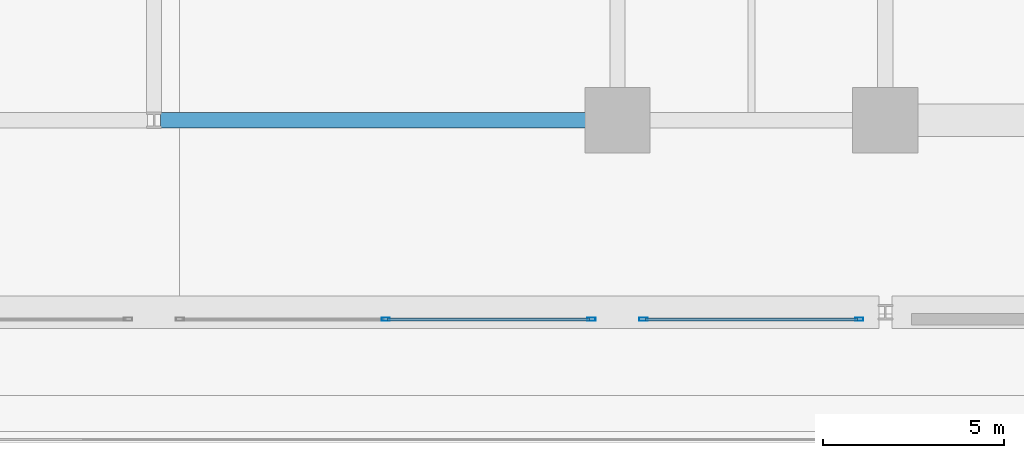
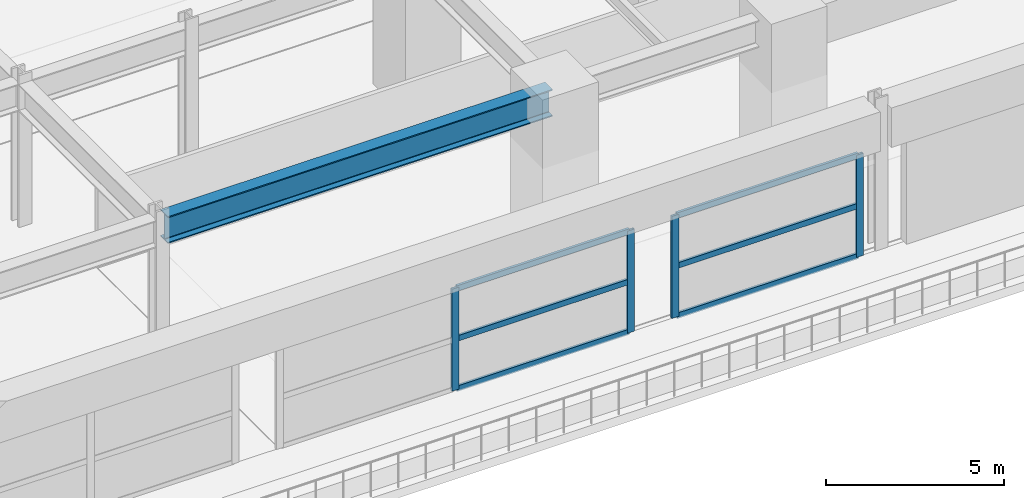
# One storey, part 7 of 43: 10 members, 1 beam, 2 elements without a shape of their own.
"""IFC4 building model written with IfcOpenShell, lengths in metres."""

from ifc_helpers import new_model, si_unit, direction, frame, origin, origin_2d, place, context, subcontext, project, spatial, hollow_rectangle, i_section, extrude, material, material_profile, profile_set, type_object, element, aggregate, save


model = new_model("IFC4")

# Units and contexts
model_context = context("Model", 3, precision=1e-05, world=origin(), true_north=direction((0.0, 1.0)))
body_context = subcontext(model_context, "Body", "Model", "MODEL_VIEW")
ifc_project = project(units=[si_unit("LENGTHUNIT", "METRE"), si_unit("AREAUNIT", "SQUARE_METRE"), si_unit("VOLUMEUNIT", "CUBIC_METRE"), si_unit("PLANEANGLEUNIT", "RADIAN"), si_unit("MASSUNIT", "GRAM", prefix="KILO")], contexts=[model_context])

# Site, building, storey
site_placement = place(None, origin())
site = spatial("IfcSite", under=ifc_project, at=site_placement, CompositionType="ELEMENT")
building_placement = place(site_placement, origin())
building = spatial("IfcBuilding", under=site, at=building_placement, Name="Kovane Verandah Tower", CompositionType="ELEMENT")
storey_placement = place(building_placement, frame((0.0, 0.0, 11.199951171875)))
storey = spatial("IfcBuildingStorey", under=building, at=storey_placement, Name="L02", CompositionType="ELEMENT", Elevation=11.199951171875)

# Beam
ifc_material_1 = material(Name="Steel S460", Category="steel")
ifc_material_profile_1 = material_profile(ifc_material_1, i_section(OverallWidth=0.42041015625, OverallDepth=0.9208984375, WebThickness=0.021484375, FlangeThickness=0.03662109375, FilletRadius=0.024169921875, at=origin_2d()), Name="UB914x419x388")
ifc_profile_set_1 = profile_set([ifc_material_profile_1], Name="Steel S460")
beam_type = type_object("IfcBeamType", Name="BM-UB914x388", PredefinedType="BEAM", material=ifc_profile_set_1)
beam_placement = place(storey_placement, frame((8.97998046875, 10.800048828125, 4.439453125), z_axis=(1.0, 0.0, 0.0), x_axis=(0.0, 1.0, 0.0)))
element("IfcBeam", 1, at=beam_placement, inside=storey, type_object=beam_type, Name="L02 Podium Grid Girder X02", PredefinedType="BEAM", context=body_context, shape_type="SweptSolid", body=[
    extrude(i_section(OverallWidth=0.42041015625, OverallDepth=0.9208984375, WebThickness=0.021484375, FlangeThickness=0.03662109375, FilletRadius=0.024169921875, at=origin_2d()), origin(), (0.0, 0.0, 1.0), 12.43994140625),
])

# Curtain wall, members
ifc_material_2 = material(Name="Champagne Anodised Aluminium Frame with Low-E Clear Laminated Glass", Category="aluminium")
curtain_wall_type = type_object("IfcCurtainWallType", Name="CW-SYS-01-POD", PredefinedType="NOTDEFINED", material=ifc_material_2)
curtain_wall_1_placement = place(storey_placement, origin())
curtain_wall_1 = element("IfcCurtainWall", 2, at=curtain_wall_1_placement, inside=storey, type_object=curtain_wall_type, Name="L02 South Podium Curtain Wall Bay 2.1", PredefinedType="NOTDEFINED")
ifc_material_3 = material(Name="Champagne Anodised Aluminium 6063-T6", Category="aluminium")
ifc_material_profile_2 = material_profile(ifc_material_3, hollow_rectangle(XDim=0.0849609375, YDim=0.22998046875, WallThickness=0.00390625, at=origin_2d()), Name="AL85x230x4")
ifc_profile_set_2 = profile_set([ifc_material_profile_2], Name="Champagne Anodised Aluminium 6063-T6")
member_type_1 = type_object("IfcMemberType", Name="CW-MUL-85x230", PredefinedType="MULLION", material=ifc_profile_set_2)
member_1_placement = place(storey_placement, frame((15.199951171875, 5.300048828125, 0.02001953125), z_axis=(0.0, 0.0, 1.0), x_axis=(0.0, -1.0, 0.0)))
member_1 = element("IfcMember", 3, at=member_1_placement, type_object=member_type_1, Name="L02 South Podium Curtain Wall Bay 2.1 Mullion 2", PredefinedType="MULLION", context=body_context, shape_type="SweptSolid", body=[
    extrude(hollow_rectangle(XDim=0.0849609375, YDim=0.22998046875, WallThickness=0.00390625, at=origin_2d()), origin(), (0.0, 0.0, 1.0), 3.489990234375),
])
member_2_placement = place(storey_placement, frame((20.8798828125, 5.300048828125, 0.02001953125), z_axis=(0.0, 0.0, 1.0), x_axis=(0.0, -1.0, 0.0)))
member_2 = element("IfcMember", 4, at=member_2_placement, type_object=member_type_1, Name="L02 South Podium Curtain Wall Bay 2.1 Mullion 3", PredefinedType="MULLION", context=body_context, shape_type="SweptSolid", body=[
    extrude(hollow_rectangle(XDim=0.0849609375, YDim=0.22998046875, WallThickness=0.00390625, at=origin_2d()), origin(), (0.0, 0.0, 1.0), 3.489990234375),
])

curtain_wall_2_placement = place(storey_placement, origin())
curtain_wall_2 = element("IfcCurtainWall", 5, at=curtain_wall_2_placement, inside=storey, type_object=curtain_wall_type, Name="L02 South Podium Curtain Wall Bay 3.1", PredefinedType="NOTDEFINED")
member_3_placement = place(storey_placement, frame((22.320068359375, 5.300048828125, 0.02001953125), z_axis=(0.0, 0.0, 1.0), x_axis=(0.0, -1.0, 0.0)))
member_3 = element("IfcMember", 6, at=member_3_placement, type_object=member_type_1, Name="L02 South Podium Curtain Wall Bay 3.1 Mullion 1", PredefinedType="MULLION", context=body_context, shape_type="SweptSolid", body=[
    extrude(hollow_rectangle(XDim=0.0849609375, YDim=0.22998046875, WallThickness=0.00390625, at=origin_2d()), origin(), (0.0, 0.0, 1.0), 3.489990234375),
])
member_4_placement = place(storey_placement, frame((28.280029296875, 5.300048828125, 0.02001953125), z_axis=(0.0, 0.0, 1.0), x_axis=(0.0, -1.0, 0.0)))
member_4 = element("IfcMember", 7, at=member_4_placement, type_object=member_type_1, Name="L02 South Podium Curtain Wall Bay 3.1 Mullion 2", PredefinedType="MULLION", context=body_context, shape_type="SweptSolid", body=[
    extrude(hollow_rectangle(XDim=0.0849609375, YDim=0.22998046875, WallThickness=0.00390625, at=origin_2d()), origin(), (0.0, 0.0, 1.0), 3.489990234375),
])

# Member
ifc_material_profile_3 = material_profile(ifc_material_3, hollow_rectangle(XDim=0.0849609375, YDim=0.18994140625, WallThickness=0.00390625, at=origin_2d()), Name="AL85x190x4")
ifc_profile_set_3 = profile_set([ifc_material_profile_3], Name="Champagne Anodised Aluminium 6063-T6")
member_type_2 = type_object("IfcMemberType", Name="CW-TRN-85x190", PredefinedType="USERDEFINED", material=ifc_profile_set_3)
member_5_placement = place(storey_placement, frame((15.25, 5.300048828125, 0.050048828125), z_axis=(1.0, 0.0, 0.0), x_axis=(0.0, 1.0, 0.0)))
member_5 = element("IfcMember", 8, at=member_5_placement, type_object=member_type_2, Name="L02 South Podium Curtain Wall Bay 2.1 Transom TB Bay 2", ObjectType="TRANSOM", PredefinedType="USERDEFINED", context=body_context, shape_type="SweptSolid", body=[
    extrude(hollow_rectangle(XDim=0.0849609375, YDim=0.18994140625, WallThickness=0.00390625, at=origin_2d()), origin(), (0.0, 0.0, 1.0), 5.580078125),
])

member_6_placement = place(storey_placement, frame((15.25, 5.300048828125, 1.76513671875), z_axis=(1.0, 0.0, 0.0), x_axis=(0.0, 1.0, 0.0)))
member_6 = element("IfcMember", 9, at=member_6_placement, type_object=member_type_2, Name="L02 South Podium Curtain Wall Bay 2.1 Transom TM Bay 2", ObjectType="TRANSOM", PredefinedType="USERDEFINED", context=body_context, shape_type="SweptSolid", body=[
    extrude(hollow_rectangle(XDim=0.0849609375, YDim=0.18994140625, WallThickness=0.00390625, at=origin_2d()), origin(), (0.0, 0.0, 1.0), 5.580078125),
])

member_7_placement = place(storey_placement, frame((15.25, 5.300048828125, 3.47998046875), z_axis=(1.0, 0.0, 0.0), x_axis=(0.0, 1.0, 0.0)))
member_7 = element("IfcMember", 10, at=member_7_placement, type_object=member_type_2, Name="L02 South Podium Curtain Wall Bay 2.1 Transom TT Bay 2", ObjectType="TRANSOM", PredefinedType="USERDEFINED", context=body_context, shape_type="SweptSolid", body=[
    extrude(hollow_rectangle(XDim=0.0849609375, YDim=0.18994140625, WallThickness=0.00390625, at=origin_2d()), origin(), (0.0, 0.0, 1.0), 5.580078125),
])

aggregate(curtain_wall_1, [member_1, member_2, member_5, member_6, member_7])

member_8_placement = place(storey_placement, frame((22.3701171875, 5.300048828125, 0.050048828125), z_axis=(1.0, 0.0, 0.0), x_axis=(0.0, 1.0, 0.0)))
member_8 = element("IfcMember", 11, at=member_8_placement, type_object=member_type_2, Name="L02 South Podium Curtain Wall Bay 3.1 Transom TB Bay 1", ObjectType="TRANSOM", PredefinedType="USERDEFINED", context=body_context, shape_type="SweptSolid", body=[
    extrude(hollow_rectangle(XDim=0.0849609375, YDim=0.18994140625, WallThickness=0.00390625, at=origin_2d()), origin(), (0.0, 0.0, 1.0), 5.85986328125),
])

member_9_placement = place(storey_placement, frame((22.3701171875, 5.300048828125, 1.76513671875), z_axis=(1.0, 0.0, 0.0), x_axis=(0.0, 1.0, 0.0)))
member_9 = element("IfcMember", 12, at=member_9_placement, type_object=member_type_2, Name="L02 South Podium Curtain Wall Bay 3.1 Transom TM Bay 1", ObjectType="TRANSOM", PredefinedType="USERDEFINED", context=body_context, shape_type="SweptSolid", body=[
    extrude(hollow_rectangle(XDim=0.0849609375, YDim=0.18994140625, WallThickness=0.00390625, at=origin_2d()), origin(), (0.0, 0.0, 1.0), 5.85986328125),
])

member_10_placement = place(storey_placement, frame((22.3701171875, 5.300048828125, 3.47998046875), z_axis=(1.0, 0.0, 0.0), x_axis=(0.0, 1.0, 0.0)))
member_10 = element("IfcMember", 13, at=member_10_placement, type_object=member_type_2, Name="L02 South Podium Curtain Wall Bay 3.1 Transom TT Bay 1", ObjectType="TRANSOM", PredefinedType="USERDEFINED", context=body_context, shape_type="SweptSolid", body=[
    extrude(hollow_rectangle(XDim=0.0849609375, YDim=0.18994140625, WallThickness=0.00390625, at=origin_2d()), origin(), (0.0, 0.0, 1.0), 5.85986328125),
])

aggregate(curtain_wall_2, [member_3, member_4, member_8, member_9, member_10])

save(model, "model.ifc")
